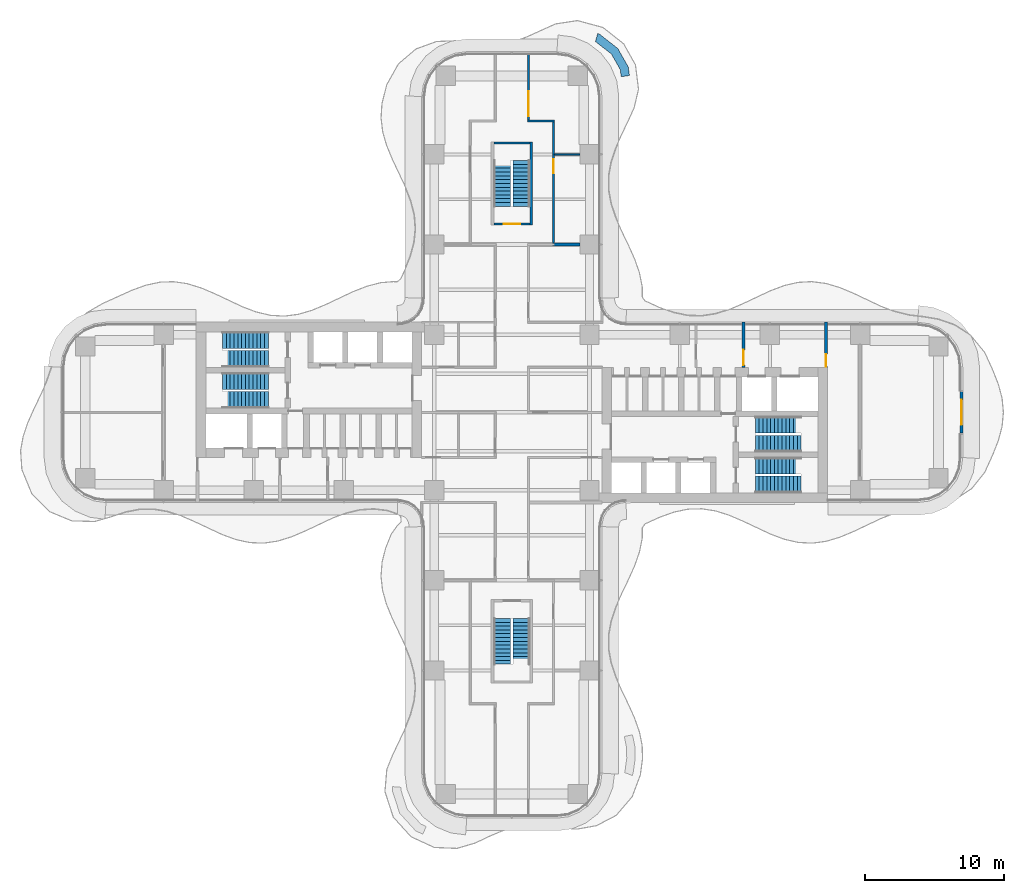
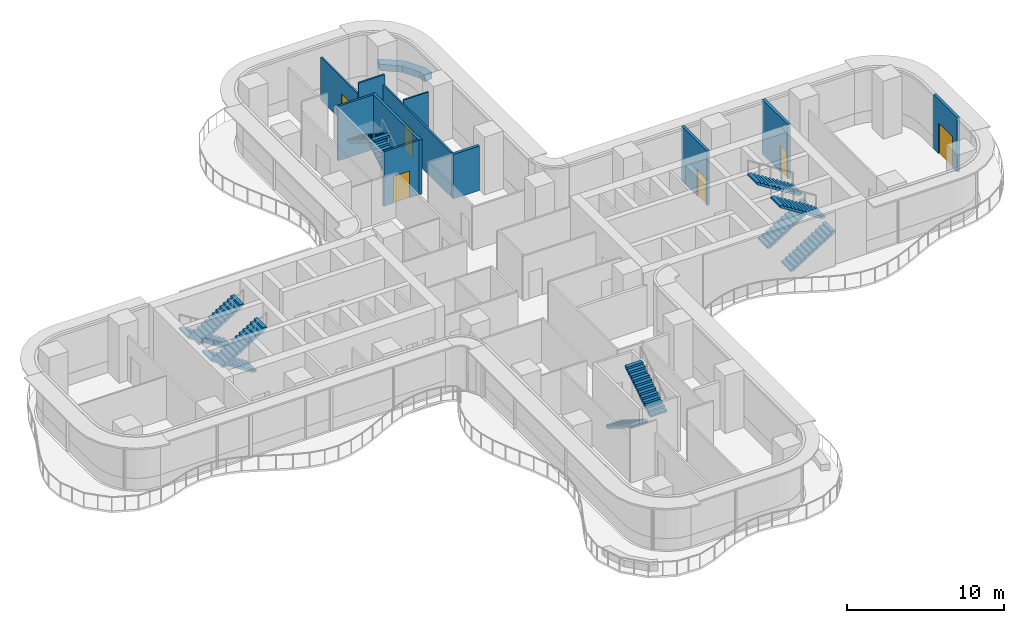
# One storey, part 20 of 22: 12 stair flights, 12 walls, 6 doors, 6 openings, 6 elements without a shape of their own.
"""IFC4 building model written with IfcOpenShell, lengths in metres."""

from ifc_helpers import new_model, si_unit, direction, frame, frame_2d, origin, place, context, subcontext, project, spatial, polyline, rectangle, outline, extrude, source, transform, mapped, material, layer, layer_set, type_object, element, fill, aggregate, save


model = new_model("IFC4")

# Units and contexts
model_context = context("Model", 3, precision=1e-05, world=origin(), true_north=direction((0.0, 1.0)))
body_context = subcontext(model_context, "Body", "Model", "MODEL_VIEW")
ifc_project = project(units=[si_unit("LENGTHUNIT", "METRE"), si_unit("AREAUNIT", "SQUARE_METRE"), si_unit("VOLUMEUNIT", "CUBIC_METRE"), si_unit("PLANEANGLEUNIT", "RADIAN"), si_unit("MASSUNIT", "GRAM", prefix="KILO")], contexts=[model_context])

# Site, building, storey
site_placement = place(None, origin())
site = spatial("IfcSite", under=ifc_project, at=site_placement, CompositionType="ELEMENT")
building_placement = place(site_placement, origin())
building = spatial("IfcBuilding", under=site, at=building_placement, Name="Trellis Farm Tower", CompositionType="ELEMENT")
storey_placement = place(building_placement, frame((0.0, 0.0, 79.0)))
storey = spatial("IfcBuildingStorey", under=building, at=storey_placement, Name="L16", CompositionType="ELEMENT", Elevation=79.0)

# Wall
ifc_material_1 = material(Name="Sandstone faced masonry planter", Category="masonry")
ifc_layer_1 = layer(ifc_material_1, 0.60009765625)
ifc_layer_set_1 = layer_set([ifc_layer_1], Name="PLANTER BED 600")
wall_type_1 = type_object("IfcWallType", Name="PLANTER BED 600", PredefinedType="USERDEFINED", material=ifc_layer_set_1)
placement = place(storey_placement, origin())
element("IfcWall", 1, at=placement, inside=storey, type_object=wall_type_1, Name="PLANTER bed", ObjectType="PLANTER", PredefinedType="USERDEFINED", context=body_context, shape_type="SweptSolid", body=[
    extrude(outline(polyline([(7.640869140625, 26.227294921875), (8.39697265625, 24.891357421875), (8.47607421875, 24.274658203125), (7.881103515625, 24.197998046875), (7.81689453125, 24.6982421875), (7.177490234375, 25.827880859375), (6.02685546875, 26.72607421875), (6.183349609375, 27.305419921875), (6.303466796875, 27.272705078125), (7.640869140625, 26.227294921875)])), origin(), (0.0, 0.0, 1.0), 0.5),
])

# Wall, opening, door
ifc_material_2 = material(Name="Masonry blockwork", Category="masonry")
ifc_layer_2 = layer(ifc_material_2, 0.199951171875)
ifc_layer_set_2 = layer_set([ifc_layer_2], Name="FIRE LOBBY PARTITION 200 BLOCKWORK")
wall_type_2 = type_object("IfcWallType", Name="FIRE LOBBY PARTITION 200 BLOCKWORK", PredefinedType="PARTITIONING", material=ifc_layer_set_2)
shared_shape_1 = source(origin(), body_context, "Body", "SweptSolid", [
    extrude(rectangle(XDim=3.25, YDim=0.199951171875, at=frame_2d((1.625, 0.0))), origin(), (0.0, 0.0, 1.0), 4.25),
])
wall_2_placement = place(storey_placement, frame((16.699951171875, 3.25, 0.0), z_axis=(0.0, 0.0, 1.0), x_axis=(0.0, 1.0, 0.0)))
wall_2 = element("IfcWall", 2, at=wall_2_placement, inside=storey, type_object=wall_type_2, Name="Fire-fighting lobby partition", PredefinedType="PARTITIONING", context=body_context, shape_type="MappedRepresentation", body=[
    mapped(shared_shape_1, transform((0.0, 0.0, 0.0))),
])
shared_shape_2 = source(origin(), body_context, "Body", "SweptSolid", [
    extrude(rectangle(XDim=1.10009765625, YDim=2.10009765625, at=frame_2d((0.550048828125, 1.050048828125))), frame((0.0, 0.110107421875, 0.0), z_axis=(0.0, -1.0, 0.0), x_axis=(1.0, 0.0, 0.0)), (0.0, 0.0, 1.0), 0.22021484375),
])
opening_1_placement = place(wall_2_placement, frame((0.14990234375, 0.0, 0.0)))
opening_1 = element("IfcOpeningElement", 3, at=opening_1_placement, cuts=wall_2, Name="Opening DC7", PredefinedType="OPENING", context=body_context, shape_type="MappedRepresentation", body=[
    mapped(shared_shape_2, transform((0.0, 0.0, 0.0))),
])
ifc_material_3 = material(Name="Steel", Category="steel")
door_type_1 = type_object("IfcDoorType", Name="CORE FIRE DOOR 1100 X 2100", OperationType="NOTDEFINED", PredefinedType="DOOR", material=ifc_material_3)
shared_shape_3 = source(origin(), body_context, "Body", "SweptSolid", [
    extrude(rectangle(XDim=1.10009765625, YDim=2.10009765625, at=frame_2d((0.550048828125, 1.050048828125))), frame((0.0, 0.02490234375, 0.0), z_axis=(0.0, -1.0, 0.0), x_axis=(1.0, 0.0, 0.0)), (0.0, 0.0, 1.0), 0.050048828125),
])
door_1_placement = place(opening_1_placement, origin())
door_1 = element("IfcDoor", 4, at=door_1_placement, inside=storey, type_object=door_type_1, Name="Core door", OperationType="SINGLE_SWING_RIGHT", OverallHeight=2.10009765625, OverallWidth=1.10009765625, PredefinedType="DOOR", context=body_context, shape_type="MappedRepresentation", body=[
    mapped(shared_shape_3, transform((0.0, 0.0, 0.0))),
])
fill(opening_1, door_1)

wall_3_placement = place(storey_placement, frame((22.64990234375, 3.25, 0.0), z_axis=(0.0, 0.0, 1.0), x_axis=(0.0, 1.0, 0.0)))
wall_3 = element("IfcWall", 5, at=wall_3_placement, inside=storey, type_object=wall_type_2, Name="Fire-fighting lobby partition", PredefinedType="PARTITIONING", context=body_context, shape_type="MappedRepresentation", body=[
    mapped(shared_shape_1, transform((0.0, 0.0, 0.0))),
])
shared_shape_4 = source(origin(), body_context, "Body", "SweptSolid", [
    extrude(rectangle(XDim=0.89990234375, YDim=2.10009765625, at=frame_2d((0.449951171875, 1.050048828125))), frame((0.0, 0.110107421875, 0.0), z_axis=(0.0, -1.0, 0.0), x_axis=(1.0, 0.0, 0.0)), (0.0, 0.0, 1.0), 0.22021484375),
])
opening_2_placement = place(wall_3_placement, frame((0.050048828125, 0.0, 0.0)))
opening_2 = element("IfcOpeningElement", 6, at=opening_2_placement, cuts=wall_3, Name="Opening DC8", PredefinedType="OPENING", context=body_context, shape_type="MappedRepresentation", body=[
    mapped(shared_shape_4, transform((0.0, 0.0, 0.0))),
])
door_type_2 = type_object("IfcDoorType", Name="CORE FIRE DOOR 900 X 2100", OperationType="NOTDEFINED", PredefinedType="DOOR", material=ifc_material_3)
shared_shape_5 = source(origin(), body_context, "Body", "SweptSolid", [
    extrude(rectangle(XDim=0.89990234375, YDim=2.10009765625, at=frame_2d((0.449951171875, 1.050048828125))), frame((0.0, 0.02490234375, 0.0), z_axis=(0.0, -1.0, 0.0), x_axis=(1.0, 0.0, 0.0)), (0.0, 0.0, 1.0), 0.050048828125),
])
door_2_placement = place(opening_2_placement, origin())
door_2 = element("IfcDoor", 7, at=door_2_placement, inside=storey, type_object=door_type_2, Name="Core door", OperationType="SINGLE_SWING_RIGHT", OverallHeight=2.10009765625, OverallWidth=0.89990234375, PredefinedType="DOOR", context=body_context, shape_type="MappedRepresentation", body=[
    mapped(shared_shape_5, transform((0.0, 0.0, 0.0))),
])
fill(opening_2, door_2)

# Wall
ifc_material_4 = material(Name="Concrete C80/95", Category="concrete")
ifc_layer_3 = layer(ifc_material_4, 0.199951171875)
ifc_layer_set_3 = layer_set([ifc_layer_3], Name="CORE STAIR ENCLOSURE WALL 200 CONCRETE C80/95")
wall_type_3 = type_object("IfcWallType", Name="CORE STAIR ENCLOSURE WALL 200 CONCRETE C80/95", PredefinedType="SHEAR", material=ifc_layer_set_3)
shared_shape_6 = source(origin(), body_context, "Body", "SweptSolid", [
    extrude(rectangle(XDim=6.0, YDim=0.199951171875, at=frame_2d((3.0, 0.0))), origin(), (0.0, 0.0, 1.0), 4.25),
])
wall_4_placement = place(storey_placement, frame((1.39990234375, 13.5, 0.0), z_axis=(0.0, 0.0, 1.0), x_axis=(0.0, 1.0, 0.0)))
element("IfcWall", 8, at=wall_4_placement, inside=storey, type_object=wall_type_3, Name="Stair enclosure wall", PredefinedType="SHEAR", context=body_context, shape_type="MappedRepresentation", body=[
    mapped(shared_shape_6, transform((0.0, 0.0, 0.0))),
])

# Wall, opening, door
ifc_layer_4 = layer(ifc_material_4, 0.14990234375)
ifc_layer_set_4 = layer_set([ifc_layer_4], Name="CORE STAIR ENCLOSURE WALL 150 CONCRETE C80/95")
wall_type_4 = type_object("IfcWallType", Name="CORE STAIR ENCLOSURE WALL 150 CONCRETE C80/95", PredefinedType="SHEAR", material=ifc_layer_set_4)
shared_shape_7 = source(origin(), body_context, "Body", "SweptSolid", [
    extrude(rectangle(XDim=2.60009765625, YDim=0.14990234375, at=frame_2d((1.300048828125, 0.0))), origin(), (0.0, 0.0, 1.0), 4.25),
])
wall_5_placement = place(storey_placement, frame((-1.300048828125, 13.574951171875, 0.0), z_axis=(0.0, 0.0, 1.0), x_axis=(1.0, 0.0, 0.0)))
wall_5 = element("IfcWall", 9, at=wall_5_placement, inside=storey, type_object=wall_type_4, Name="Stair enclosure wall", PredefinedType="SHEAR", context=body_context, shape_type="MappedRepresentation", body=[
    mapped(shared_shape_7, transform((0.0, 0.0, 0.0))),
])
shared_shape_8 = source(origin(), body_context, "Body", "SweptSolid", [
    extrude(rectangle(XDim=1.199951171875, YDim=2.10009765625, at=frame_2d((0.60009765625, 1.050048828125))), frame((0.0, 0.0849609375, 0.0), z_axis=(0.0, -1.0, 0.0), x_axis=(1.0, 0.0, 0.0)), (0.0, 0.0, 1.0), 0.169921875),
])
opening_3_placement = place(wall_5_placement, frame((0.699951171875, 0.0, 0.0)))
opening_3 = element("IfcOpeningElement", 10, at=opening_3_placement, cuts=wall_5, Name="Opening DC173", PredefinedType="OPENING", context=body_context, shape_type="MappedRepresentation", body=[
    mapped(shared_shape_8, transform((0.0, 0.0, 0.0))),
])
door_type_3 = type_object("IfcDoorType", Name="CORE FIRE DOOR 1200 X 2100", OperationType="NOTDEFINED", PredefinedType="DOOR", material=ifc_material_3)
shared_shape_9 = source(origin(), body_context, "Body", "SweptSolid", [
    extrude(rectangle(XDim=1.199951171875, YDim=2.10009765625, at=frame_2d((0.60009765625, 1.050048828125))), frame((0.0, 0.02490234375, 0.0), z_axis=(0.0, -1.0, 0.0), x_axis=(1.0, 0.0, 0.0)), (0.0, 0.0, 1.0), 0.050048828125),
])
door_3_placement = place(opening_3_placement, origin())
door_3 = element("IfcDoor", 11, at=door_3_placement, inside=storey, type_object=door_type_3, Name="Core door", OperationType="SINGLE_SWING_LEFT", OverallHeight=2.10009765625, OverallWidth=1.199951171875, PredefinedType="DOOR", context=body_context, shape_type="MappedRepresentation", body=[
    mapped(shared_shape_9, transform((0.0, 0.0, 0.0))),
])
fill(opening_3, door_3)

# Wall
wall_6_placement = place(storey_placement, frame((-1.300048828125, 19.425048828125, 0.0), z_axis=(0.0, 0.0, 1.0), x_axis=(1.0, 0.0, 0.0)))
element("IfcWall", 12, at=wall_6_placement, inside=storey, type_object=wall_type_4, Name="Stair enclosure wall", PredefinedType="SHEAR", context=body_context, shape_type="MappedRepresentation", body=[
    mapped(shared_shape_7, transform((0.0, 0.0, 0.0))),
])

# Wall, opening, door
ifc_material_5 = material(Name="Sandstone faced insulated wall", Category="masonry")
ifc_layer_5 = layer(ifc_material_5, 0.199951171875)
ifc_layer_set_5 = layer_set([ifc_layer_5], Name="EXTERNAL INFILL WALL 200")
wall_type_5 = type_object("IfcWallType", Name="EXTERNAL INFILL WALL 200", PredefinedType="SOLIDWALL", material=ifc_layer_set_5)
shared_shape_10 = source(origin(), body_context, "Body", "SweptSolid", [
    extrude(rectangle(XDim=3.0, YDim=0.199951171875, at=frame_2d((1.5, 0.0))), origin(), (0.0, 0.0, 1.0), 4.25),
])
wall_7_placement = place(storey_placement, frame((32.39990234375, -1.5, 0.0), z_axis=(0.0, 0.0, 1.0), x_axis=(0.0, 1.0, 0.0)))
wall_7 = element("IfcWall", 13, at=wall_7_placement, inside=storey, type_object=wall_type_5, Name="EW1 01", PredefinedType="SOLIDWALL", context=body_context, shape_type="MappedRepresentation", body=[
    mapped(shared_shape_10, transform((0.0, 0.0, 0.0))),
])
shared_shape_11 = source(origin(), body_context, "Body", "SweptSolid", [
    extrude(rectangle(XDim=1.800048828125, YDim=2.39990234375, at=frame_2d((0.89990234375, 1.199951171875))), frame((0.0, 0.110107421875, 0.0), z_axis=(0.0, -1.0, 0.0), x_axis=(1.0, 0.0, 0.0)), (0.0, 0.0, 1.0), 0.22021484375),
])
opening_4_placement = place(wall_7_placement, frame((0.60009765625, 0.0, 0.0)))
opening_4 = element("IfcOpeningElement", 14, at=opening_4_placement, cuts=wall_7, Name="Opening ED1", PredefinedType="OPENING", context=body_context, shape_type="MappedRepresentation", body=[
    mapped(shared_shape_11, transform((0.0, 0.0, 0.0))),
])
ifc_material_6 = material(Name="Aluminium framed glazed door", Category="aluminium")
door_type_4 = type_object("IfcDoorType", Name="BALCONY DOOR 1800x2400", OperationType="DOUBLE_DOOR_SINGLE_SWING", PredefinedType="DOOR", material=ifc_material_6)
shared_shape_12 = source(origin(), body_context, "Body", "SweptSolid", [
    extrude(rectangle(XDim=1.800048828125, YDim=2.39990234375, at=frame_2d((0.89990234375, 1.199951171875))), frame((0.0, 0.02490234375, 0.0), z_axis=(0.0, -1.0, 0.0), x_axis=(1.0, 0.0, 0.0)), (0.0, 0.0, 1.0), 0.050048828125),
])
door_4_placement = place(opening_4_placement, origin())
door_4 = element("IfcDoor", 15, at=door_4_placement, inside=storey, type_object=door_type_4, Name="Balcony door", OperationType="DOUBLE_DOOR_SINGLE_SWING", OverallHeight=2.39990234375, OverallWidth=1.800048828125, PredefinedType="DOOR", context=body_context, shape_type="MappedRepresentation", body=[
    mapped(shared_shape_12, transform((0.0, 0.0, 0.0))),
])
fill(opening_4, door_4)

# Wall
ifc_material_7 = material(Name="Lightweight blockwork, plastered", Category="masonry")
ifc_layer_6 = layer(ifc_material_7, 0.199951171875)
ifc_layer_set_6 = layer_set([ifc_layer_6], Name="BLOCK WALL 200 EI 120")
wall_type_6 = type_object("IfcWallType", Name="BLOCK WALL 200 EI 120", PredefinedType="PARTITIONING", material=ifc_layer_set_6)
shared_shape_13 = source(origin(), body_context, "Body", "SweptSolid", [
    extrude(rectangle(XDim=1.96240234375, YDim=0.199951171875, at=frame_2d((0.981201171875, 0.0))), origin(), (0.0, 0.0, 1.0), 3.4677734375),
])
wall_8_placement = place(storey_placement, frame((2.9375, 12.10009765625, 0.0), z_axis=(0.0, 0.0, 1.0), x_axis=(1.0, 0.0, 0.0)))
element("IfcWall", 16, at=wall_8_placement, inside=storey, type_object=wall_type_6, Name="Partition PW3", PredefinedType="PARTITIONING", context=body_context, shape_type="MappedRepresentation", body=[
    mapped(shared_shape_13, transform((0.0, 0.0, 0.0))),
])

# Wall, opening, door
ifc_material_8 = material(Name="Plasterboard on steel studs, mineral wool", Category="steel")
ifc_layer_7 = layer(ifc_material_8, 0.125)
ifc_layer_set_7 = layer_set([ifc_layer_7], Name="PARTITION 125 STUD EI 60")
wall_type_7 = type_object("IfcWallType", Name="PARTITION 125 STUD EI 60", PredefinedType="PARTITIONING", material=ifc_layer_set_7)
shared_shape_14 = source(origin(), body_context, "Body", "SweptSolid", [
    extrude(rectangle(XDim=8.737548828125, YDim=0.125, at=frame_2d((4.36865234375, 0.0))), origin(), (0.0, 0.0, 1.0), 3.4677734375),
])
wall_9_placement = place(storey_placement, frame((3.0, 20.9375, 0.0), z_axis=(0.0, 0.0, 1.0), x_axis=(0.0, -1.0, 0.0)))
wall_9 = element("IfcWall", 17, at=wall_9_placement, inside=storey, type_object=wall_type_7, Name="Partition PW1", PredefinedType="PARTITIONING", context=body_context, shape_type="MappedRepresentation", body=[
    mapped(shared_shape_14, transform((0.0, 0.0, 0.0))),
])
shared_shape_15 = source(origin(), body_context, "Body", "SweptSolid", [
    extrude(rectangle(XDim=1.0, YDim=2.10009765625, at=frame_2d((0.5, 1.050048828125))), frame((0.0, 0.072509765625, 0.0), z_axis=(0.0, -1.0, 0.0), x_axis=(1.0, 0.0, 0.0)), (0.0, 0.0, 1.0), 0.14501953125),
])
opening_5_placement = place(wall_9_placement, frame((2.6875, 0.0, 0.0)))
opening_5 = element("IfcOpeningElement", 18, at=opening_5_placement, cuts=wall_9, Name="Opening D109", PredefinedType="OPENING", context=body_context, shape_type="MappedRepresentation", body=[
    mapped(shared_shape_15, transform((0.0, 0.0, 0.0))),
])
ifc_material_9 = material(Name="Fire-rated timber door leaf in a hollow metal frame", Category="wood")
door_type_5 = type_object("IfcDoorType", Name="DOOR 1000x2100 FD30S", OperationType="NOTDEFINED", PredefinedType="DOOR", material=ifc_material_9)
shared_shape_16 = source(origin(), body_context, "Body", "SweptSolid", [
    extrude(rectangle(XDim=1.0, YDim=2.10009765625, at=frame_2d((0.5, 1.050048828125))), frame((0.0, 0.02490234375, 0.0), z_axis=(0.0, -1.0, 0.0), x_axis=(1.0, 0.0, 0.0)), (0.0, 0.0, 1.0), 0.050048828125),
])
door_5_placement = place(opening_5_placement, origin())
door_5 = element("IfcDoor", 19, at=door_5_placement, inside=storey, type_object=door_type_5, Name="Door D109", OperationType="SINGLE_SWING_LEFT", OverallHeight=2.10009765625, OverallWidth=1.0, PredefinedType="DOOR", context=body_context, shape_type="MappedRepresentation", body=[
    mapped(shared_shape_16, transform((0.0, 0.0, 0.0))),
])
fill(opening_5, door_5)

# Walls
shared_shape_17 = source(origin(), body_context, "Body", "SweptSolid", [
    extrude(rectangle(XDim=1.925048828125, YDim=0.125, at=frame_2d((0.96240234375, 0.0))), origin(), (0.0, 0.0, 1.0), 4.25),
])
wall_10_placement = place(storey_placement, frame((1.137451171875, 21.0, 0.0), z_axis=(0.0, 0.0, 1.0), x_axis=(1.0, 0.0, 0.0)))
element("IfcWall", 20, at=wall_10_placement, inside=storey, type_object=wall_type_7, Name="Partition PW1", PredefinedType="PARTITIONING", context=body_context, shape_type="MappedRepresentation", body=[
    mapped(shared_shape_17, transform((0.0, 0.0, 0.0))),
])
ifc_material_10 = material(Name="Plasterboard on steel studs", Category="steel")
ifc_layer_8 = layer(ifc_material_10, 0.10009765625)
ifc_layer_set_8 = layer_set([ifc_layer_8], Name="PARTITION 100 STUD EI 30")
wall_type_8 = type_object("IfcWallType", Name="PARTITION 100 STUD EI 30", PredefinedType="PARTITIONING", material=ifc_layer_set_8)
shared_shape_18 = source(origin(), body_context, "Body", "SweptSolid", [
    extrude(rectangle(XDim=1.83740234375, YDim=0.10009765625, at=frame_2d((0.918701171875, 0.0))), origin(), (0.0, 0.0, 1.0), 3.697021484375),
])
wall_11_placement = place(storey_placement, frame((3.0625, 18.60009765625, 0.0), z_axis=(0.0, 0.0, 1.0), x_axis=(1.0, 0.0, 0.0)))
element("IfcWall", 21, at=wall_11_placement, inside=storey, type_object=wall_type_8, Name="Partition PW2", PredefinedType="PARTITIONING", context=body_context, shape_type="MappedRepresentation", body=[
    mapped(shared_shape_18, transform((0.0, 0.0, 0.0))),
])

# Wall, opening, door
shared_shape_19 = source(origin(), body_context, "Body", "SweptSolid", [
    extrude(rectangle(XDim=4.737548828125, YDim=0.125, at=frame_2d((2.36865234375, 0.0))), origin(), (0.0, 0.0, 1.0), 3.330078125),
])
wall_12_placement = place(storey_placement, frame((1.199951171875, 25.800048828125, 0.0), z_axis=(0.0, 0.0, 1.0), x_axis=(0.0, -1.0, 0.0)))
wall_12 = element("IfcWall", 22, at=wall_12_placement, inside=storey, type_object=wall_type_7, Name="Partition PW1", PredefinedType="PARTITIONING", context=body_context, shape_type="MappedRepresentation", body=[
    mapped(shared_shape_19, transform((0.0, 0.0, 0.0))),
])
shared_shape_20 = source(origin(), body_context, "Body", "SweptSolid", [
    extrude(rectangle(XDim=1.800048828125, YDim=2.10009765625, at=frame_2d((0.89990234375, 1.050048828125))), frame((0.0, 0.072509765625, 0.0), z_axis=(0.0, -1.0, 0.0), x_axis=(1.0, 0.0, 0.0)), (0.0, 0.0, 1.0), 0.14501953125),
])
opening_6_placement = place(wall_12_placement, frame((2.64990234375, 0.0, 0.0)))
opening_6 = element("IfcOpeningElement", 23, at=opening_6_placement, cuts=wall_12, Name="Opening D203", PredefinedType="OPENING", context=body_context, shape_type="MappedRepresentation", body=[
    mapped(shared_shape_20, transform((0.0, 0.0, 0.0))),
])
door_type_6 = type_object("IfcDoorType", Name="DOOR PAIR 1800x2100 FD30S", OperationType="NOTDEFINED", PredefinedType="DOOR", material=ifc_material_9)
shared_shape_21 = source(origin(), body_context, "Body", "SweptSolid", [
    extrude(rectangle(XDim=1.800048828125, YDim=2.10009765625, at=frame_2d((0.89990234375, 1.050048828125))), frame((0.0, 0.02490234375, 0.0), z_axis=(0.0, -1.0, 0.0), x_axis=(1.0, 0.0, 0.0)), (0.0, 0.0, 1.0), 0.050048828125),
])
door_6_placement = place(opening_6_placement, origin())
door_6 = element("IfcDoor", 24, at=door_6_placement, inside=storey, type_object=door_type_6, Name="Door D203", OperationType="DOUBLE_DOOR_SINGLE_SWING", OverallHeight=2.10009765625, OverallWidth=1.800048828125, PredefinedType="DOOR", context=body_context, shape_type="MappedRepresentation", body=[
    mapped(shared_shape_21, transform((0.0, 0.0, 0.0))),
])
fill(opening_6, door_6)

# Stair, stair flights
ifc_material_11 = material(Name="Concrete C50/60", Category="concrete")
stair_type = type_object("IfcStairType", Name="CORE EXIT STAIR 26 RISERS 173 MM", PredefinedType="HALF_TURN_STAIR", material=ifc_material_11)
stair_1 = element("IfcStair", 25, at=placement, inside=storey, type_object=stair_type, Name="Exit stair N", PredefinedType="HALF_TURN_STAIR")
stair_flight_type = type_object("IfcStairFlightType", Name="STAIR FLIGHT 13 RISERS 173 MM", PredefinedType="STRAIGHT", material=ifc_material_11)
shared_shape_22 = source(origin(), body_context, "Body", "SweptSolid", [
    extrude(outline(polyline([(0.0, 0.0), (0.0, 0.173095703125), (0.27490234375, 0.173095703125), (0.27490234375, 0.34619140625), (0.550048828125, 0.34619140625), (0.550048828125, 0.519287109375), (0.824951171875, 0.519287109375), (0.824951171875, 0.6923828125), (1.10009765625, 0.6923828125), (1.10009765625, 0.865478515625), (1.375, 0.865478515625), (1.375, 1.03857421875), (1.64990234375, 1.03857421875), (1.64990234375, 1.21142578125), (1.925048828125, 1.21142578125), (1.925048828125, 1.384521484375), (2.199951171875, 1.384521484375), (2.199951171875, 1.5576171875), (2.47509765625, 1.5576171875), (2.47509765625, 1.730712890625), (2.75, 1.730712890625), (2.75, 1.90380859375), (3.02490234375, 1.90380859375), (3.02490234375, 2.076904296875), (3.300048828125, 2.076904296875), (3.300048828125, 2.25), (3.300048828125, 1.92333984375), (0.243896484375, 0.0), (0.0, 0.0)])), frame((0.0, 0.60009765625, 0.0), z_axis=(0.0, -1.0, 0.0), x_axis=(1.0, 0.0, 0.0)), (0.0, 0.0, 1.0), 1.199951171875),
])
stair_flight_1_placement = place(storey_placement, frame((0.699951171875, 14.85009765625, 0.0), z_axis=(0.0, 0.0, 1.0), x_axis=(0.0, 1.0, 0.0)))
stair_flight_1 = element("IfcStairFlight", 26, at=stair_flight_1_placement, type_object=stair_flight_type, Name="STN flight 1", NumberOfRisers=13, NumberOfTreads=12, PredefinedType="STRAIGHT", RiserHeight=0.173076923, TreadLength=0.275, context=body_context, shape_type="MappedRepresentation", body=[
    mapped(shared_shape_22, transform((0.0, 0.0, 0.0))),
])
stair_flight_2_placement = place(storey_placement, frame((-0.699951171875, 18.14990234375, 2.25), z_axis=(0.0, 0.0, 1.0), x_axis=(0.0, -1.0, 0.0)))
stair_flight_2 = element("IfcStairFlight", 27, at=stair_flight_2_placement, type_object=stair_flight_type, Name="STN flight 2", NumberOfRisers=13, NumberOfTreads=12, PredefinedType="STRAIGHT", RiserHeight=0.173076923, TreadLength=0.275, context=body_context, shape_type="MappedRepresentation", body=[
    mapped(shared_shape_22, transform((0.0, 0.0, 0.0))),
])
aggregate(stair_1, [stair_flight_1, stair_flight_2])

stair_2 = element("IfcStair", 28, at=placement, inside=storey, type_object=stair_type, Name="Exit stair S", PredefinedType="HALF_TURN_STAIR")
stair_flight_3_placement = place(storey_placement, frame((-0.699951171875, -14.85009765625, 0.0), z_axis=(0.0, 0.0, 1.0), x_axis=(0.0, -1.0, 0.0)))
stair_flight_3 = element("IfcStairFlight", 29, at=stair_flight_3_placement, type_object=stair_flight_type, Name="STS flight 1", NumberOfRisers=13, NumberOfTreads=12, PredefinedType="STRAIGHT", RiserHeight=0.173076923, TreadLength=0.275, context=body_context, shape_type="MappedRepresentation", body=[
    mapped(shared_shape_22, transform((0.0, 0.0, 0.0))),
])
stair_flight_4_placement = place(storey_placement, frame((0.699951171875, -18.14990234375, 2.25), z_axis=(0.0, 0.0, 1.0), x_axis=(0.0, 1.0, 0.0)))
stair_flight_4 = element("IfcStairFlight", 30, at=stair_flight_4_placement, type_object=stair_flight_type, Name="STS flight 2", NumberOfRisers=13, NumberOfTreads=12, PredefinedType="STRAIGHT", RiserHeight=0.173076923, TreadLength=0.275, context=body_context, shape_type="MappedRepresentation", body=[
    mapped(shared_shape_22, transform((0.0, 0.0, 0.0))),
])
aggregate(stair_2, [stair_flight_3, stair_flight_4])

stair_3 = element("IfcStair", 31, at=placement, inside=storey, type_object=stair_type, Name="Exit stair E1", PredefinedType="HALF_TURN_STAIR")
stair_flight_5_placement = place(storey_placement, frame((17.550048828125, -5.199951171875, 0.0), z_axis=(0.0, 0.0, 1.0), x_axis=(1.0, 0.0, 0.0)))
stair_flight_5 = element("IfcStairFlight", 32, at=stair_flight_5_placement, type_object=stair_flight_type, Name="STE1 flight 1", NumberOfRisers=13, NumberOfTreads=12, PredefinedType="STRAIGHT", RiserHeight=0.173076923, TreadLength=0.275, context=body_context, shape_type="MappedRepresentation", body=[
    mapped(shared_shape_22, transform((0.0, 0.0, 0.0))),
])
stair_flight_6_placement = place(storey_placement, frame((20.85009765625, -3.85009765625, 2.25), z_axis=(0.0, 0.0, 1.0), x_axis=(-1.0, 0.0, 0.0)))
stair_flight_6 = element("IfcStairFlight", 33, at=stair_flight_6_placement, type_object=stair_flight_type, Name="STE1 flight 2", NumberOfRisers=13, NumberOfTreads=12, PredefinedType="STRAIGHT", RiserHeight=0.173076923, TreadLength=0.275, context=body_context, shape_type="MappedRepresentation", body=[
    mapped(shared_shape_22, transform((0.0, 0.0, 0.0))),
])
aggregate(stair_3, [stair_flight_5, stair_flight_6])

stair_4 = element("IfcStair", 34, at=placement, inside=storey, type_object=stair_type, Name="Exit stair E2", PredefinedType="HALF_TURN_STAIR")
stair_flight_7_placement = place(storey_placement, frame((17.550048828125, -2.25, 0.0), z_axis=(0.0, 0.0, 1.0), x_axis=(1.0, 0.0, 0.0)))
stair_flight_7 = element("IfcStairFlight", 35, at=stair_flight_7_placement, type_object=stair_flight_type, Name="STE2 flight 1", NumberOfRisers=13, NumberOfTreads=12, PredefinedType="STRAIGHT", RiserHeight=0.173076923, TreadLength=0.275, context=body_context, shape_type="MappedRepresentation", body=[
    mapped(shared_shape_22, transform((0.0, 0.0, 0.0))),
])
stair_flight_8_placement = place(storey_placement, frame((20.85009765625, -0.89990234375, 2.25), z_axis=(0.0, 0.0, 1.0), x_axis=(-1.0, 0.0, 0.0)))
stair_flight_8 = element("IfcStairFlight", 36, at=stair_flight_8_placement, type_object=stair_flight_type, Name="STE2 flight 2", NumberOfRisers=13, NumberOfTreads=12, PredefinedType="STRAIGHT", RiserHeight=0.173076923, TreadLength=0.275, context=body_context, shape_type="MappedRepresentation", body=[
    mapped(shared_shape_22, transform((0.0, 0.0, 0.0))),
])
aggregate(stair_4, [stair_flight_7, stair_flight_8])

stair_5 = element("IfcStair", 37, at=placement, inside=storey, type_object=stair_type, Name="Exit stair W1", PredefinedType="HALF_TURN_STAIR")
stair_flight_9_placement = place(storey_placement, frame((-17.550048828125, 5.199951171875, 0.0), z_axis=(0.0, 0.0, 1.0), x_axis=(-1.0, 0.0, 0.0)))
stair_flight_9 = element("IfcStairFlight", 38, at=stair_flight_9_placement, type_object=stair_flight_type, Name="STW1 flight 1", NumberOfRisers=13, NumberOfTreads=12, PredefinedType="STRAIGHT", RiserHeight=0.173076923, TreadLength=0.275, context=body_context, shape_type="MappedRepresentation", body=[
    mapped(shared_shape_22, transform((0.0, 0.0, 0.0))),
])
stair_flight_10_placement = place(storey_placement, frame((-20.85009765625, 3.85009765625, 2.25), z_axis=(0.0, 0.0, 1.0), x_axis=(1.0, 0.0, 0.0)))
stair_flight_10 = element("IfcStairFlight", 39, at=stair_flight_10_placement, type_object=stair_flight_type, Name="STW1 flight 2", NumberOfRisers=13, NumberOfTreads=12, PredefinedType="STRAIGHT", RiserHeight=0.173076923, TreadLength=0.275, context=body_context, shape_type="MappedRepresentation", body=[
    mapped(shared_shape_22, transform((0.0, 0.0, 0.0))),
])
aggregate(stair_5, [stair_flight_9, stair_flight_10])

stair_6 = element("IfcStair", 40, at=placement, inside=storey, type_object=stair_type, Name="Exit stair W2", PredefinedType="HALF_TURN_STAIR")
stair_flight_11_placement = place(storey_placement, frame((-17.550048828125, 2.25, 0.0), z_axis=(0.0, 0.0, 1.0), x_axis=(-1.0, 0.0, 0.0)))
stair_flight_11 = element("IfcStairFlight", 41, at=stair_flight_11_placement, type_object=stair_flight_type, Name="STW2 flight 1", NumberOfRisers=13, NumberOfTreads=12, PredefinedType="STRAIGHT", RiserHeight=0.173076923, TreadLength=0.275, context=body_context, shape_type="MappedRepresentation", body=[
    mapped(shared_shape_22, transform((0.0, 0.0, 0.0))),
])
stair_flight_12_placement = place(storey_placement, frame((-20.85009765625, 0.89990234375, 2.25), z_axis=(0.0, 0.0, 1.0), x_axis=(1.0, 0.0, 0.0)))
stair_flight_12 = element("IfcStairFlight", 42, at=stair_flight_12_placement, type_object=stair_flight_type, Name="STW2 flight 2", NumberOfRisers=13, NumberOfTreads=12, PredefinedType="STRAIGHT", RiserHeight=0.173076923, TreadLength=0.275, context=body_context, shape_type="MappedRepresentation", body=[
    mapped(shared_shape_22, transform((0.0, 0.0, 0.0))),
])
aggregate(stair_6, [stair_flight_11, stair_flight_12])

save(model, "model.ifc")
